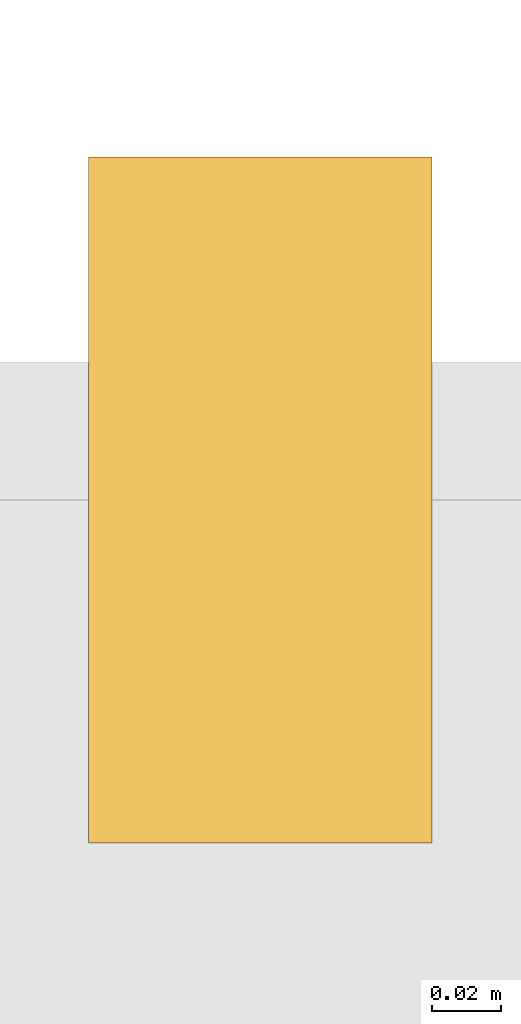
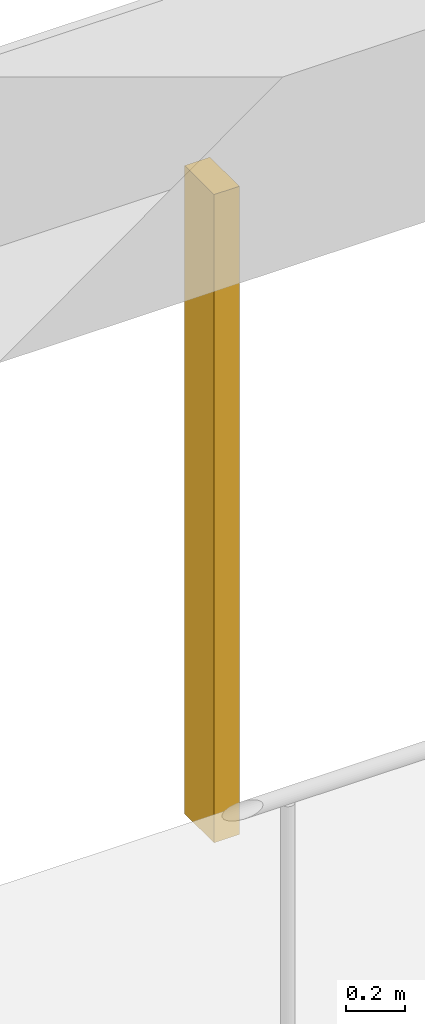
# One storey, part 16 of 23: 1 shading device.
"""IFC4 building model written with IfcOpenShell, lengths in metres."""

from ifc_helpers import new_model, si_unit, direction, frame, origin, origin_2d, place, context, subcontext, project, spatial, rectangle, extrude, material, material_profile, profile_set, type_object, element, save


model = new_model("IFC4")

# Units and contexts
model_context = context("Model", 3, precision=1e-05, world=origin(), true_north=direction((0.0, 1.0)))
body_context = subcontext(model_context, "Body", "Model", "MODEL_VIEW")
ifc_project = project(units=[si_unit("LENGTHUNIT", "METRE"), si_unit("AREAUNIT", "SQUARE_METRE"), si_unit("VOLUMEUNIT", "CUBIC_METRE"), si_unit("PLANEANGLEUNIT", "RADIAN"), si_unit("MASSUNIT", "GRAM", prefix="KILO")], contexts=[model_context])

# Site, building, storey
site_placement = place(None, origin())
site = spatial("IfcSite", under=ifc_project, at=site_placement, CompositionType="ELEMENT")
building_placement = place(site_placement, origin())
building = spatial("IfcBuilding", under=site, at=building_placement, Name="Vermilion Gate Residences", CompositionType="ELEMENT")
storey_placement = place(building_placement, frame((0.0, 0.0, 25.199951171875)))
storey = spatial("IfcBuildingStorey", under=building, at=storey_placement, Name="L04", CompositionType="ELEMENT", Elevation=25.199951171875)

# Shading device
ifc_material = material(Name="Extruded terracotta", Category="masonry")
ifc_material_profile = material_profile(ifc_material, rectangle(XDim=0.199951171875, YDim=0.10009765625, at=origin_2d()), Name="BAGUETTE 100 X 200")
ifc_profile_set = profile_set([ifc_material_profile], Name="Extruded terracotta")
shading_device_type = type_object("IfcShadingDeviceType", Name="TERRACOTTA BAGUETTE 100 X 200", PredefinedType="JALOUSIE", material=ifc_profile_set)
shading_device_placement = place(storey_placement, frame((63.0, 25.5, -0.280029296875), z_axis=(0.0, 0.0, 1.0), x_axis=(0.0, -1.0, 0.0)))
element("IfcShadingDevice", 1, at=shading_device_placement, inside=storey, type_object=shading_device_type, Name="BAGUETTE", PredefinedType="JALOUSIE", context=body_context, shape_type="SweptSolid", body=[
    extrude(rectangle(XDim=0.199951171875, YDim=0.10009765625, at=origin_2d()), origin(), (0.0, 0.0, 1.0), 2.7001953125),
])

save(model, "model.ifc")
